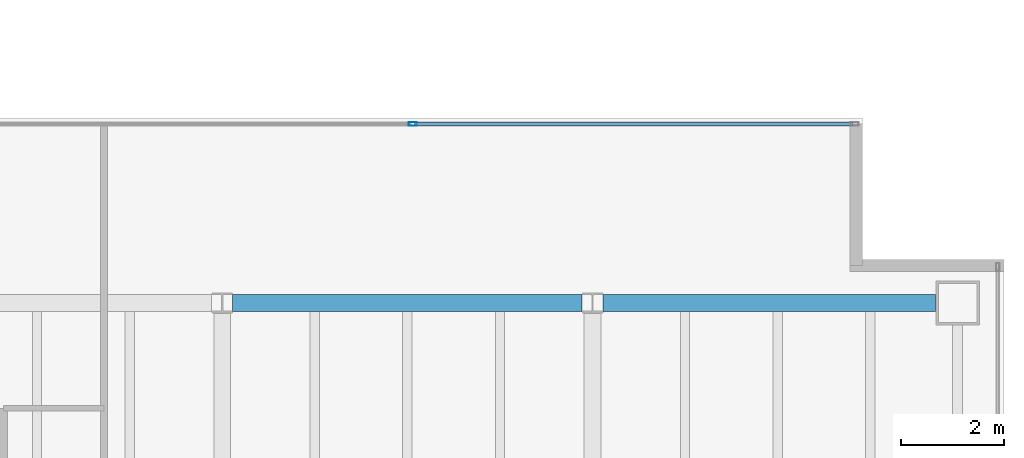
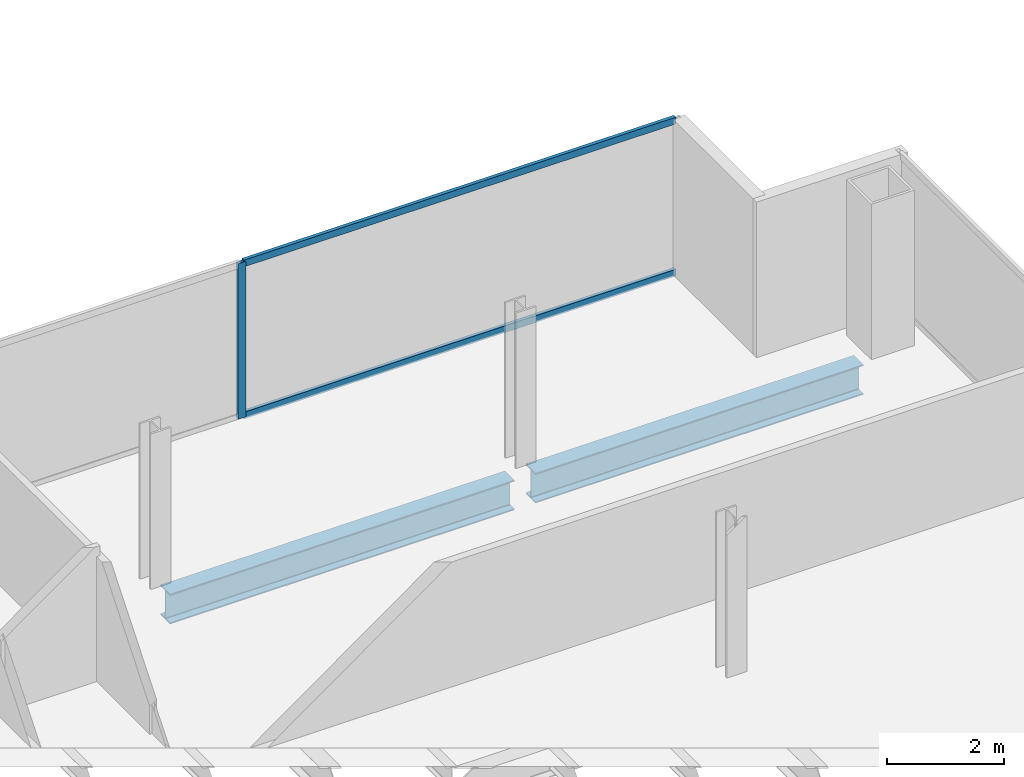
# One storey, part 15 of 23: 3 members, 2 beams, 1 element without a shape of its own.
"""IFC4 building model written with IfcOpenShell, lengths in metres."""

from ifc_helpers import new_model, si_unit, direction, frame, origin, origin_2d, place, context, subcontext, project, spatial, hollow_rectangle, i_section, extrude, material, material_profile, profile_set, type_object, element, aggregate, save


model = new_model("IFC4")

# Units and contexts
model_context = context("Model", 3, precision=1e-05, world=origin(), true_north=direction((0.0, 1.0)))
body_context = subcontext(model_context, "Body", "Model", "MODEL_VIEW")
ifc_project = project(units=[si_unit("LENGTHUNIT", "METRE"), si_unit("AREAUNIT", "SQUARE_METRE"), si_unit("VOLUMEUNIT", "CUBIC_METRE"), si_unit("PLANEANGLEUNIT", "RADIAN"), si_unit("MASSUNIT", "GRAM", prefix="KILO")], contexts=[model_context])

# Site, building, storey
site_placement = place(None, origin())
site = spatial("IfcSite", under=ifc_project, at=site_placement, CompositionType="ELEMENT")
building_placement = place(site_placement, origin())
building = spatial("IfcBuilding", under=site, at=building_placement, Name="Cobrela Telecom Tower", CompositionType="ELEMENT")
storey_placement = place(building_placement, frame((0.0, 0.0, 180.25)))
storey = spatial("IfcBuildingStorey", under=building, at=storey_placement, Name="L45", CompositionType="ELEMENT", Elevation=180.25)

# Beams
ifc_material_1 = material(Name="Steel ASTM A992 Grade 50", Category="steel")
ifc_material_profile_1 = material_profile(ifc_material_1, i_section(OverallWidth=0.327880859375, OverallDepth=0.6220703125, WebThickness=0.015380859375, FlangeThickness=0.0244140625, FilletRadius=0.014892578125, at=origin_2d()), Name="W24X131")
ifc_profile_set_1 = profile_set([ifc_material_profile_1], Name="Steel ASTM A992 Grade 50")
beam_type = type_object("IfcBeamType", Name="BM-GIRD-06", PredefinedType="USERDEFINED", material=ifc_profile_set_1)
beam_1_placement = place(storey_placement, frame((29.00439453125, 21.60009765625, -0.571044921875), z_axis=(1.0, 0.0, 0.0), x_axis=(0.0, 1.0, 0.0)))
element("IfcBeam", 1, at=beam_1_placement, inside=storey, type_object=beam_type, Name="L45 Primary Girder X17", ObjectType="GIRDER", PredefinedType="USERDEFINED", context=body_context, shape_type="SweptSolid", body=[
    extrude(i_section(OverallWidth=0.327880859375, OverallDepth=0.6220703125, WebThickness=0.015380859375, FlangeThickness=0.0244140625, FilletRadius=0.014892578125, at=origin_2d()), origin(), (0.0, 0.0, 1.0), 6.791015625),
])
beam_2_placement = place(storey_placement, frame((36.20458984375, 21.60009765625, -0.571044921875), z_axis=(1.0, 0.0, 0.0), x_axis=(0.0, 1.0, 0.0)))
element("IfcBeam", 2, at=beam_2_placement, inside=storey, type_object=beam_type, Name="L45 Primary Girder X18", ObjectType="GIRDER", PredefinedType="USERDEFINED", context=body_context, shape_type="SweptSolid", body=[
    extrude(i_section(OverallWidth=0.327880859375, OverallDepth=0.6220703125, WebThickness=0.015380859375, FlangeThickness=0.0244140625, FilletRadius=0.014892578125, at=origin_2d()), origin(), (0.0, 0.0, 1.0), 6.46533203125),
])

# Curtain wall, members
ifc_material_2 = material(Name="Anodized Bronze Aluminium 6063-T6", Category="aluminium")
curtain_wall_type = type_object("IfcCurtainWallType", Name="CW-SYS-OFF-LO", PredefinedType="USERDEFINED", material=ifc_material_2)
curtain_wall_placement = place(storey_placement, origin())
curtain_wall = element("IfcCurtainWall", 3, at=curtain_wall_placement, inside=storey, type_object=curtain_wall_type, Name="L45 Unitised Bronze Curtain Wall 11", ObjectType="UNITISED CURTAIN WALL", PredefinedType="USERDEFINED")
ifc_material_profile_2 = material_profile(ifc_material_2, hollow_rectangle(XDim=0.070068359375, YDim=0.159912109375, WallThickness=0.00390625, at=origin_2d()), Name="ALU 70x160x4")
ifc_profile_set_2 = profile_set([ifc_material_profile_2], Name="Anodized Bronze Aluminium 6063-T6")
member_type_1 = type_object("IfcMemberType", Name="CW-SYS-OFF-LO-MUL", PredefinedType="MULLION", material=ifc_profile_set_2)
member_1_placement = place(storey_placement, frame((32.5048828125, 25.080078125, 0.0), z_axis=(0.0, 0.0, 1.0), x_axis=(0.0, 1.0, 0.0)))
member_1 = element("IfcMember", 4, at=member_1_placement, type_object=member_type_1, Name="CW-OFF-LO mullion 2", PredefinedType="MULLION", context=body_context, shape_type="SweptSolid", body=[
    extrude(hollow_rectangle(XDim=0.070068359375, YDim=0.159912109375, WallThickness=0.00390625, at=origin_2d()), origin(), (0.0, 0.0, 1.0), 3.239990234375),
])
ifc_material_profile_3 = material_profile(ifc_material_2, hollow_rectangle(XDim=0.070068359375, YDim=0.139892578125, WallThickness=0.00390625, at=origin_2d()), Name="ALU 70x140x4")
ifc_profile_set_3 = profile_set([ifc_material_profile_3], Name="Anodized Bronze Aluminium 6063-T6")
member_type_2 = type_object("IfcMemberType", Name="CW-SYS-OFF-LO-TRN", PredefinedType="USERDEFINED", material=ifc_profile_set_3)
member_2_placement = place(storey_placement, frame((32.5400390625, 25.080078125, 0.034912109375), z_axis=(1.0, 0.0, 0.0), x_axis=(0.0, 1.0, 0.0)))
member_2 = element("IfcMember", 5, at=member_2_placement, type_object=member_type_2, Name="CW-OFF-LO transom 2.1", ObjectType="TRANSOM", PredefinedType="USERDEFINED", context=body_context, shape_type="SweptSolid", body=[
    extrude(hollow_rectangle(XDim=0.070068359375, YDim=0.139892578125, WallThickness=0.00390625, at=origin_2d()), origin(), (0.0, 0.0, 1.0), 8.52001953125),
])
member_3_placement = place(storey_placement, frame((32.5400390625, 25.080078125, 3.205078125), z_axis=(1.0, 0.0, 0.0), x_axis=(0.0, 1.0, 0.0)))
member_3 = element("IfcMember", 6, at=member_3_placement, type_object=member_type_2, Name="CW-OFF-LO transom 2.2", ObjectType="TRANSOM", PredefinedType="USERDEFINED", context=body_context, shape_type="SweptSolid", body=[
    extrude(hollow_rectangle(XDim=0.070068359375, YDim=0.139892578125, WallThickness=0.00390625, at=origin_2d()), origin(), (0.0, 0.0, 1.0), 8.52001953125),
])
aggregate(curtain_wall, [member_1, member_2, member_3])

save(model, "model.ifc")
